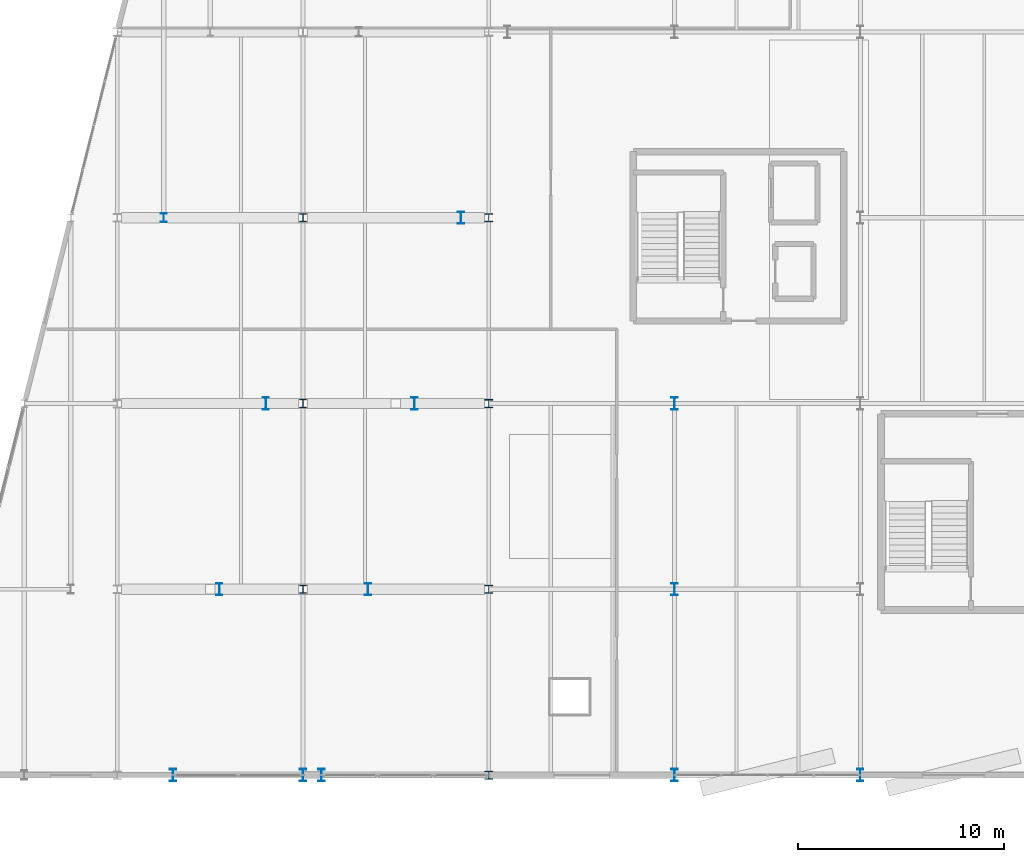
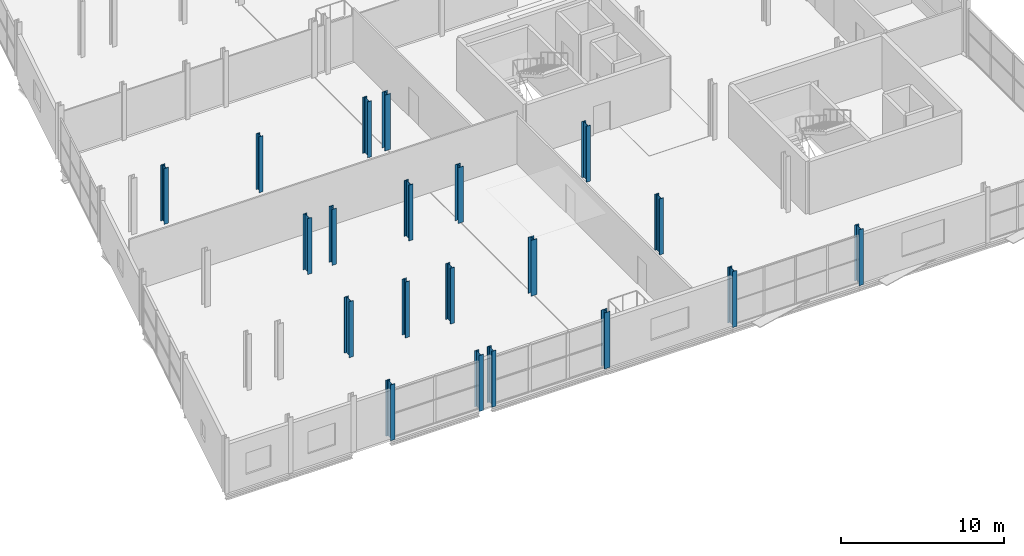
# One storey, part 15 of 135: 20 columns.
"""IFC4 building model written with IfcOpenShell, lengths in metres."""

from ifc_helpers import new_model, si_unit, direction, frame, origin, origin_2d, place, context, subcontext, project, spatial, i_section, extrude, material, material_profile, profile_set, type_object, element, save


model = new_model("IFC4")

# Units and contexts
model_context = context("Model", 3, precision=1e-05, world=origin(), true_north=direction((0.0, 1.0)))
body_context = subcontext(model_context, "Body", "Model", "MODEL_VIEW")
ifc_project = project(units=[si_unit("LENGTHUNIT", "METRE"), si_unit("AREAUNIT", "SQUARE_METRE"), si_unit("VOLUMEUNIT", "CUBIC_METRE"), si_unit("PLANEANGLEUNIT", "RADIAN"), si_unit("MASSUNIT", "GRAM", prefix="KILO")], contexts=[model_context])

# Site, building, storey
site_placement = place(None, origin())
site = spatial("IfcSite", under=ifc_project, at=site_placement, CompositionType="ELEMENT")
building_placement = place(site_placement, origin())
building = spatial("IfcBuilding", under=site, at=building_placement, Name="Deido Ridge Mobility Hub", CompositionType="ELEMENT")
storey_placement = place(building_placement, frame((0.0, 0.0, 4.199951171875)))
storey = spatial("IfcBuildingStorey", under=building, at=storey_placement, Name="L01", CompositionType="ELEMENT", Elevation=4.199951171875)

# Columns
ifc_material = material(Name="Steel S355J2 EN 10025-2", Category="steel")
ifc_material_profile_1 = material_profile(ifc_material, i_section(OverallWidth=0.39892578125, OverallDepth=0.39306640625, WebThickness=0.017578125, FlangeThickness=0.028076171875, FilletRadius=0.014892578125, at=origin_2d()), Name="HD 400x287")
ifc_profile_set_1 = profile_set([ifc_material_profile_1], Name="Steel S355J2 EN 10025-2")
column_type_1 = type_object("IfcColumnType", Name="COL-HD400-287", PredefinedType="COLUMN", material=ifc_profile_set_1)
for number, where, z_axis, x_axis, name in (
    (1, (144.0, 0.0, 0.0), (0.0, 0.0, 1.0), (1.0, 0.0, 0.0), "Structural column C2"),
    (2, (144.0, 9.0, 0.0), (0.0, 0.0, 1.0), (1.0, 0.0, 0.0), "Structural column C2"),
    (3, (144.0, 18.0, 0.0), (0.0, 0.0, 1.0), (1.0, 0.0, 0.0), "Structural column C2"),
    (4, (144.0, 27.0, 0.0), (0.0, 0.0, 1.0), (1.0, 0.0, 0.0), "Structural column C2"),
):
    element("IfcColumn", number, at=place(storey_placement, frame(where, z_axis=z_axis, x_axis=x_axis)), inside=storey, type_object=column_type_1, Name=name, PredefinedType="COLUMN", context=body_context, shape_type="SweptSolid", body=[
        extrude(i_section(OverallWidth=0.39892578125, OverallDepth=0.39306640625, WebThickness=0.017578125, FlangeThickness=0.028076171875, FilletRadius=0.014892578125, at=origin_2d()), origin(), (0.0, 0.0, 1.0), 4.199951171875),
    ])
ifc_material_profile_2 = material_profile(ifc_material, i_section(OverallWidth=0.300048828125, OverallDepth=0.39990234375, WebThickness=0.013427734375, FlangeThickness=0.02392578125, FilletRadius=0.027099609375, at=origin_2d()), Name="HEB 400")
ifc_profile_set_2 = profile_set([ifc_material_profile_2], Name="Steel S355J2 EN 10025-2")
column_type_2 = type_object("IfcColumnType", Name="COL-HEB400", PredefinedType="COLUMN", material=ifc_profile_set_2)
for number, where, z_axis, x_axis, name in (
    (5, (135.0, 9.0, 0.0), (0.0, 0.0, 1.0), (1.0, 0.0, 0.0), "Structural column C7"),
    (6, (135.0, 18.0, 0.0), (0.0, 0.0, 1.0), (1.0, 0.0, 0.0), "Structural column C7"),
    (7, (135.0, 27.0, 0.0), (0.0, 0.0, 1.0), (1.0, 0.0, 0.0), "Structural column C7"),
):
    element("IfcColumn", number, at=place(storey_placement, frame(where, z_axis=z_axis, x_axis=x_axis)), inside=storey, type_object=column_type_2, Name=name, PredefinedType="COLUMN", context=body_context, shape_type="SweptSolid", body=[
        extrude(i_section(OverallWidth=0.300048828125, OverallDepth=0.39990234375, WebThickness=0.013427734375, FlangeThickness=0.02392578125, FilletRadius=0.027099609375, at=origin_2d()), origin(), (0.0, 0.0, 1.0), 4.199951171875),
    ])
ifc_material_profile_3 = material_profile(ifc_material, i_section(OverallWidth=0.300048828125, OverallDepth=0.449951171875, WebThickness=0.013916015625, FlangeThickness=0.02587890625, FilletRadius=0.027099609375, at=origin_2d()), Name="HEB 450")
ifc_profile_set_3 = profile_set([ifc_material_profile_3], Name="Steel S355J2 EN 10025-2")
column_type_3 = type_object("IfcColumnType", Name="COL-HEB450", PredefinedType="COLUMN", material=ifc_profile_set_3)
column_placement = place(storey_placement, frame((128.25, 27.0, 0.0), z_axis=(0.0, 0.0, 1.0), x_axis=(1.0, 0.0, 0.0)))
element("IfcColumn", 8, at=column_placement, inside=storey, type_object=column_type_3, Name="Structural column C6", PredefinedType="COLUMN", context=body_context, shape_type="SweptSolid", body=[
    extrude(i_section(OverallWidth=0.300048828125, OverallDepth=0.449951171875, WebThickness=0.013916015625, FlangeThickness=0.02587890625, FilletRadius=0.027099609375, at=origin_2d()), origin(), (0.0, 0.0, 1.0), 4.199951171875),
])
ifc_material_profile_4 = material_profile(ifc_material, i_section(OverallWidth=0.300048828125, OverallDepth=0.60009765625, WebThickness=0.015380859375, FlangeThickness=0.030029296875, FilletRadius=0.027099609375, at=origin_2d()), Name="HEB 600")
ifc_profile_set_4 = profile_set([ifc_material_profile_4], Name="Steel S355J2 EN 10025-2")
column_type_4 = type_object("IfcColumnType", Name="COL-HEB600", PredefinedType="COLUMN", material=ifc_profile_set_4)
for number, where, z_axis, x_axis, name in (
    (9, (128.699951171875, 0.0, 0.0), (0.0, 0.0, 1.0), (1.0, 0.0, 0.0), "Structural column C4"),
    (10, (135.0, 0.0, 0.0), (0.0, 0.0, 1.0), (1.0, 0.0, 0.0), "Structural column C4"),
    (11, (135.89990234375, 0.0, 0.0), (0.0, 0.0, 1.0), (1.0, 0.0, 0.0), "Structural column C4"),
    (12, (153.0, 0.0, 0.0), (0.0, 0.0, 1.0), (1.0, 0.0, 0.0), "Structural column C4"),
    (13, (162.0, 0.0, 0.0), (0.0, 0.0, 1.0), (1.0, 0.0, 0.0), "Structural column C4"),
    (14, (130.949951171875, 9.0, 0.0), (0.0, 0.0, 1.0), (1.0, 0.0, 0.0), "Structural column C4"),
    (15, (138.14990234375, 9.0, 0.0), (0.0, 0.0, 1.0), (1.0, 0.0, 0.0), "Structural column C4"),
    (16, (153.0, 9.0, 0.0), (0.0, 0.0, 1.0), (1.0, 0.0, 0.0), "Structural column C4"),
    (17, (133.199951171875, 18.0, 0.0), (0.0, 0.0, 1.0), (1.0, 0.0, 0.0), "Structural column C4"),
    (18, (140.39990234375, 18.0, 0.0), (0.0, 0.0, 1.0), (1.0, 0.0, 0.0), "Structural column C4"),
    (19, (153.0, 18.0, 0.0), (0.0, 0.0, 1.0), (1.0, 0.0, 0.0), "Structural column C4"),
    (20, (142.64990234375, 27.0, 0.0), (0.0, 0.0, 1.0), (1.0, 0.0, 0.0), "Structural column C4"),
):
    element("IfcColumn", number, at=place(storey_placement, frame(where, z_axis=z_axis, x_axis=x_axis)), inside=storey, type_object=column_type_4, Name=name, PredefinedType="COLUMN", context=body_context, shape_type="SweptSolid", body=[
        extrude(i_section(OverallWidth=0.300048828125, OverallDepth=0.60009765625, WebThickness=0.015380859375, FlangeThickness=0.030029296875, FilletRadius=0.027099609375, at=origin_2d()), origin(), (0.0, 0.0, 1.0), 4.199951171875),
    ])

save(model, "model.ifc")
